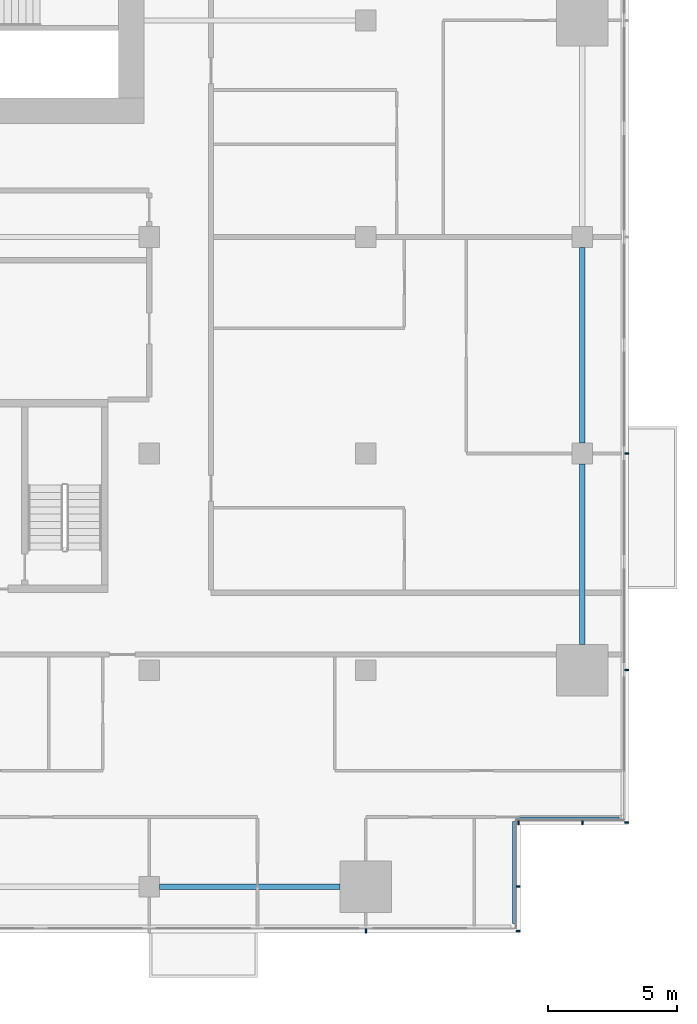
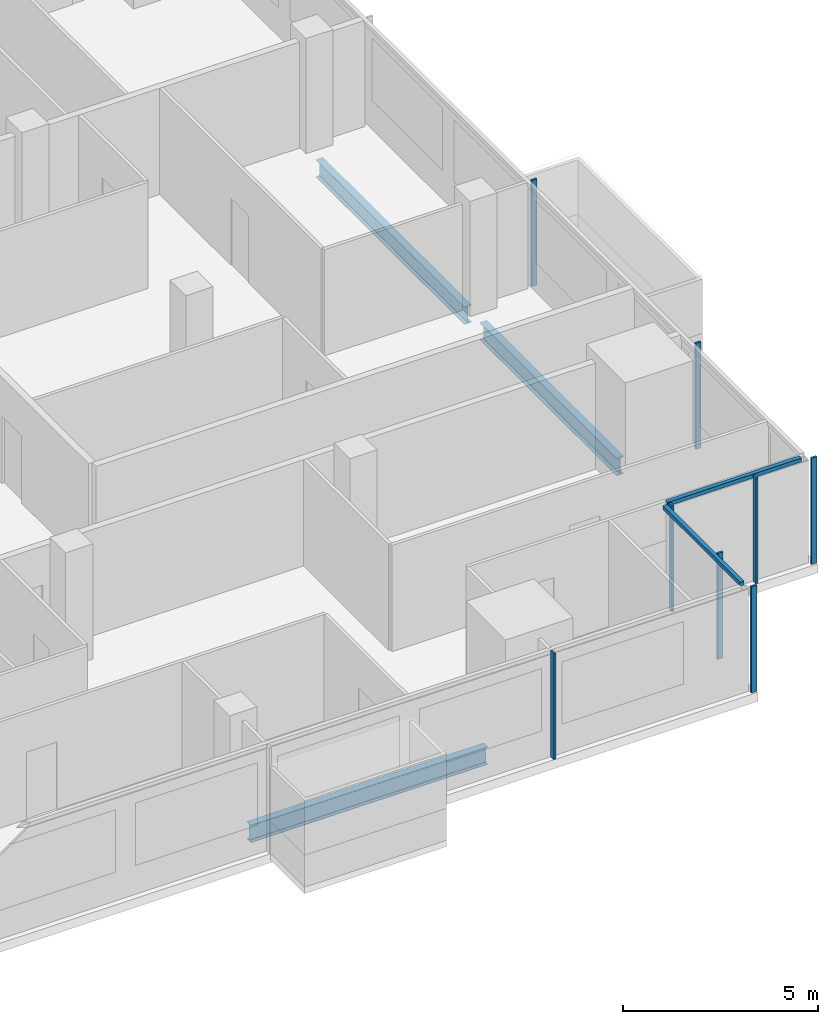
# One storey, part 11 of 29: 10 members, 3 beams, 4 elements without a shape of their own.
"""IFC4 building model written with IfcOpenShell, lengths in metres."""

import ifcopenshell
import ifcopenshell.guid

model = None  # the IFC model being written
_history = None  # IfcOwnerHistory: only IFC2X3 demands one
_inside = {}  # id of a spatial element -> (the spatial element, [elements in it])
_under = {}  # id of a project, library or spatial element -> (it, [spatial elements below it])
_declared = {}  # id of a project -> (the project, [libraries it declares])
_typed = {}  # id of a type object -> (the type object, [elements of that type])
_made_of = {}  # id of a material, layer set ... -> (it, [elements and type objects made of it])


def new_model(schema):
    """Start an empty IFC model of exactly this schema.

    Asked for "IFC4X3", IfcOpenShell would pick the latest addendum, in which some entities
    have other attributes; the version numbers below select the first issue.
    IFC2X3 requires an IfcOwnerHistory on every rooted entity: one is made here for all.
    """
    global model, _history
    if schema == "IFC4X3":
        model = ifcopenshell.file(schema_version=(4, 3, 0, 0))
    else:
        model = ifcopenshell.file(schema=schema)
    _inside.clear()
    _under.clear()
    _declared.clear()
    _typed.clear()
    _made_of.clear()
    _history = None
    if model.schema == "IFC2X3":
        org = make("IfcOrganization", Name="unknown")
        user = make(
            "IfcPersonAndOrganization",
            ThePerson=make("IfcPerson", FamilyName="unknown"),
            TheOrganization=org,
        )
        app = make(
            "IfcApplication",
            ApplicationDeveloper=org,
            Version="unknown",
            ApplicationFullName="unknown",
            ApplicationIdentifier="unknown",
        )
        _history = make(
            "IfcOwnerHistory",
            OwningUser=user,
            OwningApplication=app,
            ChangeAction="ADDED",
            CreationDate=0,
        )
    return model


def make(cls, **values):
    """One entity of the class cls with the attributes given. An attribute that is None is left unset."""
    return model.create_entity(
        cls, **{name: value for name, value in values.items() if value is not None}
    )


def rooted(cls, **values):
    """An entity with a GlobalId (a new one), such as an element, a storey or a relation."""
    return make(cls, GlobalId=ifcopenshell.guid.new(), OwnerHistory=_history, **values)


def si_unit(unit_type, name, prefix=None):
    """IfcSIUnit, for example si_unit("LENGTHUNIT", "METRE", prefix="MILLI")."""
    return make("IfcSIUnit", UnitType=unit_type, Prefix=prefix, Name=name)


def assignment(units):
    """IfcUnitAssignment: the units of a project."""
    return None if units is None else make("IfcUnitAssignment", Units=units)


def point(xyz):
    """IfcCartesianPoint."""
    return None if xyz is None else make("IfcCartesianPoint", Coordinates=xyz)


def direction(xyz):
    """IfcDirection."""
    return None if xyz is None else make("IfcDirection", DirectionRatios=xyz)


def frame(location, z_axis=None, x_axis=None):
    """IfcAxis2Placement3D, a coordinate frame: its origin and axes. An axis left out is left unset."""
    return make(
        "IfcAxis2Placement3D",
        Location=point(location),
        Axis=direction(z_axis),
        RefDirection=direction(x_axis),
    )


def frame_2d(location, x_axis=None):
    """IfcAxis2Placement2D, a coordinate frame in the plane: its origin and x axis."""
    return make(
        "IfcAxis2Placement2D", Location=point(location), RefDirection=direction(x_axis)
    )


def origin():
    """The frame at (0, 0, 0) with its axes left unset."""
    return frame((0.0, 0.0, 0.0))


def origin_2d():
    """The frame at (0, 0) in the plane with its x axis left unset."""
    return frame_2d((0.0, 0.0))


def place(relative_to, where):
    """IfcLocalPlacement: puts the frame where relative to a parent placement (None: the world)."""
    return make(
        "IfcLocalPlacement", PlacementRelTo=relative_to, RelativePlacement=where
    )


def context(
    kind, dimensions, precision=None, world=None, true_north=None, identifier=None
):
    """IfcGeometricRepresentationContext, for example the 3D "Model" context."""
    return make(
        "IfcGeometricRepresentationContext",
        ContextIdentifier=identifier,
        ContextType=kind,
        CoordinateSpaceDimension=dimensions,
        Precision=precision,
        WorldCoordinateSystem=world,
        TrueNorth=true_north,
    )


def subcontext(parent, identifier, kind, view, scale=None):
    """IfcGeometricRepresentationSubContext, for example "Body" below "Model"."""
    return make(
        "IfcGeometricRepresentationSubContext",
        ContextIdentifier=identifier,
        ContextType=kind,
        ParentContext=parent,
        TargetScale=scale,
        TargetView=view,
    )


def project(units=None, contexts=None):
    """IfcProject with its units and contexts."""
    return rooted(
        "IfcProject",
        Name="project",
        RepresentationContexts=contexts,
        UnitsInContext=assignment(units),
    )


def spatial(cls, under=None, at=None, **own):
    """A site, building, storey or space (cls), placed at a placement, below another one or the project."""
    s = rooted(cls, ObjectPlacement=at, **own)
    if under is not None:
        _under.setdefault(under.id(), (under, []))[1].append(s)
    return s


def profile(cls, at=None, kind="AREA", **sizes):
    """A parametric profile (cls). Its sizes go by their IFC names, for example OverallWidth=200.0."""
    return make(cls, ProfileType=kind, Position=at, **sizes)


def rectangle(**sizes):
    """IfcRectangleProfileDef."""
    return profile("IfcRectangleProfileDef", **sizes)


def i_section(**sizes):
    """IfcIShapeProfileDef."""
    return profile("IfcIShapeProfileDef", **sizes)


def extrude(swept, where, along, depth):
    """IfcExtrudedAreaSolid: the profile swept, set in the frame where, extruded along a direction by depth."""
    return make(
        "IfcExtrudedAreaSolid",
        SweptArea=swept,
        Position=where,
        ExtrudedDirection=direction(along),
        Depth=depth,
    )


def shape(context_of_items, identifier, shape_type, items):
    """IfcShapeRepresentation: the items that make up one representation, for example the "Body"."""
    return make(
        "IfcShapeRepresentation",
        ContextOfItems=context_of_items,
        RepresentationIdentifier=identifier,
        RepresentationType=shape_type,
        Items=items,
    )


def material(Name=None, Category=None):
    """IfcMaterial."""
    return make("IfcMaterial", Name=Name, Category=Category)


def material_profile(
    of_material, cross_section, Name=None, Category=None, Priority=None
):
    """IfcMaterialProfile: a cross section and its material."""
    return make(
        "IfcMaterialProfile",
        Name=Name,
        Material=of_material,
        Profile=cross_section,
        Priority=Priority,
        Category=Category,
    )


def profile_set(profiles, Name=None, composite=None):
    """IfcMaterialProfileSet."""
    return make(
        "IfcMaterialProfileSet",
        Name=Name,
        MaterialProfiles=profiles,
        CompositeProfile=composite,
    )


def made_of(thing, what):
    """Note that an element or type object is made of a material, layer set ...; save() writes the relation."""
    if what is not None:
        _made_of.setdefault(what.id(), (what, []))[1].append(thing)
    return thing


def type_object(cls, material=None, **own):
    """A type object (cls), such as IfcWallType, which elements share."""
    return made_of(rooted(cls, **own), material)


def element(
    cls,
    number,
    at=None,
    inside=None,
    cuts=None,
    type_object=None,
    material=None,
    context=None,
    identifier="Body",
    shape_type=None,
    held_by="IfcProductDefinitionShape",
    body=None,
    shapes=None,
    **own,
):
    """One element of the class cls, such as IfcWall. Its Tag is "e" and its number.

    at: its placement. inside: the storey or other place that contains it. cuts: it is an
    opening in that element (IfcRelVoidsElement). A single representation is given by context,
    identifier, shape_type and body (its items); several are given by shapes. held_by: the class
    of the entity that holds the representations. save() writes the other relations.
    """
    e = rooted(cls, Tag="e%d" % number, ObjectPlacement=at, **own)
    if body is not None:
        shapes = [shape(context, identifier, shape_type, body)]
    if shapes is not None:
        e.Representation = make(held_by, Representations=shapes)
    if inside is not None:
        _inside.setdefault(inside.id(), (inside, []))[1].append(e)
    if cuts is not None:
        rooted(
            "IfcRelVoidsElement", RelatingBuildingElement=cuts, RelatedOpeningElement=e
        )
    if type_object is not None:
        _typed.setdefault(type_object.id(), (type_object, []))[1].append(e)
    return made_of(e, material)


def aggregate(whole, parts):
    """IfcRelAggregates: a whole, such as a stair, and the parts it consists of."""
    return rooted("IfcRelAggregates", RelatingObject=whole, RelatedObjects=parts)


def save(model, path):
    """Write the relations noted so far, then the file.

    IfcRelAggregates (storeys below a building ...), IfcRelContainedInSpatialStructure (elements
    in a storey), IfcRelDefinesByType, IfcRelAssociatesMaterial and IfcRelDeclares: one each for
    every whole, place, type object, material and project.
    """
    for whole, parts in _under.values():
        aggregate(whole, parts)
    for where, things in _inside.values():
        rooted(
            "IfcRelContainedInSpatialStructure",
            RelatedElements=things,
            RelatingStructure=where,
        )
    for kind, things in _typed.values():
        rooted("IfcRelDefinesByType", RelatedObjects=things, RelatingType=kind)
    for what, things in _made_of.values():
        rooted("IfcRelAssociatesMaterial", RelatedObjects=things, RelatingMaterial=what)
    for by, libraries in _declared.values():
        rooted("IfcRelDeclares", RelatingContext=by, RelatedDefinitions=libraries)
    model.write(path)


model = new_model("IFC4")

# Units and contexts
model_context = context("Model", 3, precision=1e-05, world=origin(), true_north=direction((0.0, 1.0)))
body_context = subcontext(model_context, "Body", "Model", "MODEL_VIEW")
ifc_project = project(units=[si_unit("LENGTHUNIT", "METRE"), si_unit("AREAUNIT", "SQUARE_METRE"), si_unit("VOLUMEUNIT", "CUBIC_METRE"), si_unit("PLANEANGLEUNIT", "RADIAN"), si_unit("MASSUNIT", "GRAM", prefix="KILO")], contexts=[model_context])

# Site, building, storey
site_placement = place(None, origin())
site = spatial("IfcSite", under=ifc_project, at=site_placement, CompositionType="ELEMENT")
building_placement = place(site_placement, origin())
building = spatial("IfcBuilding", under=site, at=building_placement, Name="Saffron Gate Tower", CompositionType="ELEMENT")
storey_placement = place(building_placement, frame((0.0, 0.0, 116.85009765625)))
storey = spatial("IfcBuildingStorey", under=building, at=storey_placement, Name="L27", CompositionType="ELEMENT", Elevation=116.85009765625)

# Beams
ifc_material_1 = material(Name="Structural steel S355", Category="steel")
ifc_material_profile_1 = material_profile(ifc_material_1, i_section(OverallWidth=0.2099609375, OverallDepth=0.550048828125, WebThickness=0.010986328125, FlangeThickness=0.01708984375, FilletRadius=0.02392578125, at=origin_2d()))
ifc_profile_set_1 = profile_set([ifc_material_profile_1], Name="Structural steel S355")
beam_type = type_object("IfcBeamType", Name="B13 IPE 550", PredefinedType="SPANDREL", material=ifc_profile_set_1)
for number, where, z_axis, x_axis, name in (
    (1, (109.0, 31.800048828125, -0.55517578125), (1.0, 0.0, 0.0), (0.0, 1.0, 0.0), "B13 SPANDREL BEAM"),
    (2, (125.39990234375, 41.199951171875, -0.55517578125), (0.0, 1.0, 0.0), (-1.0, 0.0, 0.0), "B13 SPANDREL BEAM"),
):
    element("IfcBeam", number, at=place(storey_placement, frame(where, z_axis=z_axis, x_axis=x_axis)), inside=storey, type_object=beam_type, Name=name, PredefinedType="SPANDREL", context=body_context, shape_type="SweptSolid", body=[
        extrude(i_section(OverallWidth=0.2099609375, OverallDepth=0.550048828125, WebThickness=0.010986328125, FlangeThickness=0.01708984375, FilletRadius=0.02392578125, at=origin_2d()), origin(), (0.0, 0.0, 1.0), 7.0),
    ])
beam_placement = place(storey_placement, frame((125.39990234375, 49.0, -0.55517578125), z_axis=(0.0, 1.0, 0.0), x_axis=(-1.0, 0.0, 0.0)))
element("IfcBeam", 3, at=beam_placement, inside=storey, type_object=beam_type, Name="B13 SPANDREL BEAM", PredefinedType="SPANDREL", context=body_context, shape_type="SweptSolid", body=[
    extrude(i_section(OverallWidth=0.2099609375, OverallDepth=0.550048828125, WebThickness=0.010986328125, FlangeThickness=0.01708984375, FilletRadius=0.02392578125, at=origin_2d()), origin(), (0.0, 0.0, 1.0), 7.60009765625),
])

# Curtain wall, member
ifc_material_2 = material(Name="Aluminium, bronze anodised", Category="aluminium")
curtain_wall_type_1 = type_object("IfcCurtainWallType", Name="CWS1 curtain wall front facade", PredefinedType="NOTDEFINED", material=ifc_material_2)
curtain_wall_1_placement = place(storey_placement, origin())
curtain_wall_1 = element("IfcCurtainWall", 4, at=curtain_wall_1_placement, inside=storey, type_object=curtain_wall_type_1, Name="CWS1 run 1", PredefinedType="NOTDEFINED")
ifc_material_profile_2 = material_profile(ifc_material_2, rectangle(XDim=0.159912109375, YDim=0.06005859375, at=origin_2d()))
ifc_profile_set_2 = profile_set([ifc_material_profile_2], Name="Aluminium, bronze anodised")
member_type_1 = type_object("IfcMemberType", Name="CWS1 mullion 60x160", PredefinedType="MULLION", material=ifc_profile_set_2)
member_1_placement = place(storey_placement, frame((117.0, 30.080078125, 0.0), z_axis=(0.0, 0.0, 1.0), x_axis=(0.0, 1.0, 0.0)))
member_1 = element("IfcMember", 5, at=member_1_placement, type_object=member_type_1, Name="CWS1 mullion 9", PredefinedType="MULLION", context=body_context, shape_type="SweptSolid", body=[
    extrude(rectangle(XDim=0.159912109375, YDim=0.06005859375, at=origin_2d()), origin(), (0.0, 0.0, 1.0), 3.31982421875),
])
aggregate(curtain_wall_1, [member_1])

# Curtain wall, members
curtain_wall_type_2 = type_object("IfcCurtainWallType", Name="CWS2 curtain wall side facades", PredefinedType="NOTDEFINED", material=ifc_material_2)
curtain_wall_2_placement = place(storey_placement, origin())
curtain_wall_2 = element("IfcCurtainWall", 6, at=curtain_wall_2_placement, inside=storey, type_object=curtain_wall_type_2, Name="CWS2 run 4", PredefinedType="NOTDEFINED")
ifc_material_profile_3 = material_profile(ifc_material_2, rectangle(XDim=0.159912109375, YDim=0.06005859375, at=origin_2d()))
ifc_profile_set_3 = profile_set([ifc_material_profile_3], Name="Aluminium, bronze anodised")
member_type_2 = type_object("IfcMemberType", Name="CWS2 mullion 60x160", PredefinedType="MULLION", material=ifc_profile_set_3)
member_2_placement = place(storey_placement, frame((127.1201171875, 34.280029296875, 0.0), z_axis=(0.0, 0.0, 1.0), x_axis=(-1.0, 0.0, 0.0)))
member_2 = element("IfcMember", 7, at=member_2_placement, type_object=member_type_2, Name="CWS2 mullion 1", PredefinedType="MULLION", context=body_context, shape_type="SweptSolid", body=[
    extrude(rectangle(XDim=0.159912109375, YDim=0.06005859375, at=origin_2d()), origin(), (0.0, 0.0, 1.0), 3.31982421875),
])
member_3_placement = place(storey_placement, frame((127.1201171875, 40.199951171875, 0.0), z_axis=(0.0, 0.0, 1.0), x_axis=(-1.0, 0.0, 0.0)))
member_3 = element("IfcMember", 8, at=member_3_placement, type_object=member_type_2, Name="CWS2 mullion 2", PredefinedType="MULLION", context=body_context, shape_type="SweptSolid", body=[
    extrude(rectangle(XDim=0.159912109375, YDim=0.06005859375, at=origin_2d()), origin(), (0.0, 0.0, 1.0), 3.31982421875),
])
member_4_placement = place(storey_placement, frame((127.1201171875, 48.60009765625, 0.0), z_axis=(0.0, 0.0, 1.0), x_axis=(-1.0, 0.0, 0.0)))
member_4 = element("IfcMember", 9, at=member_4_placement, type_object=member_type_2, Name="CWS2 mullion 3", PredefinedType="MULLION", context=body_context, shape_type="SweptSolid", body=[
    extrude(rectangle(XDim=0.159912109375, YDim=0.06005859375, at=origin_2d()), origin(), (0.0, 0.0, 1.0), 3.31982421875),
])
aggregate(curtain_wall_2, [member_2, member_3, member_4])

# Curtain wall, member
curtain_wall_type_3 = type_object("IfcCurtainWallType", Name="CWS4 curtain wall corner returns", PredefinedType="NOTDEFINED", material=ifc_material_2)
curtain_wall_3_placement = place(storey_placement, origin())
curtain_wall_3 = element("IfcCurtainWall", 10, at=curtain_wall_3_placement, inside=storey, type_object=curtain_wall_type_3, Name="CWS4 run 2", PredefinedType="NOTDEFINED")
ifc_material_profile_4 = material_profile(ifc_material_2, rectangle(XDim=0.1201171875, YDim=0.1201171875, at=origin_2d()))
ifc_profile_set_4 = profile_set([ifc_material_profile_4], Name="Aluminium, bronze anodised")
member_type_3 = type_object("IfcMemberType", Name="CWS4 head transom", PredefinedType="USERDEFINED", material=ifc_profile_set_4)
member_5_placement = place(storey_placement, frame((122.751953125, 30.367919921875, 3.260009765625), z_axis=(0.0, 1.0, 0.0), x_axis=(-1.0, 0.0, 0.0)))
member_5 = element("IfcMember", 11, at=member_5_placement, type_object=member_type_3, Name="CWS4 head transom", ObjectType="TRANSOM", PredefinedType="USERDEFINED", context=body_context, shape_type="SweptSolid", body=[
    extrude(rectangle(XDim=0.1201171875, YDim=0.1201171875, at=origin_2d()), origin(), (0.0, 0.0, 1.0), 3.9599609375),
])

curtain_wall_4_placement = place(storey_placement, origin())
curtain_wall_4 = element("IfcCurtainWall", 12, at=curtain_wall_4_placement, inside=storey, type_object=curtain_wall_type_3, Name="CWS4 run 3", PredefinedType="NOTDEFINED")
member_6_placement = place(storey_placement, frame((122.8720703125, 34.447998046875, 3.260009765625), z_axis=(1.0, 0.0, 0.0), x_axis=(0.0, 1.0, 0.0)))
member_6 = element("IfcMember", 13, at=member_6_placement, type_object=member_type_3, Name="CWS4 head transom", ObjectType="TRANSOM", PredefinedType="USERDEFINED", context=body_context, shape_type="SweptSolid", body=[
    extrude(rectangle(XDim=0.1201171875, YDim=0.1201171875, at=origin_2d()), origin(), (0.0, 0.0, 1.0), 3.9599609375),
])

# Member
ifc_material_profile_5 = material_profile(ifc_material_2, rectangle(XDim=0.159912109375, YDim=0.06005859375, at=origin_2d()))
ifc_profile_set_5 = profile_set([ifc_material_profile_5], Name="Aluminium, bronze anodised")
member_type_4 = type_object("IfcMemberType", Name="CWS4 mullion 60x160", PredefinedType="MULLION", material=ifc_profile_set_5)
member_7_placement = place(storey_placement, frame((122.919921875, 30.080078125, 0.0), z_axis=(0.0, 0.0, 1.0), x_axis=(-1.0, 0.0, 0.0)))
member_7 = element("IfcMember", 14, at=member_7_placement, type_object=member_type_4, Name="CWS4 mullion 1", PredefinedType="MULLION", context=body_context, shape_type="SweptSolid", body=[
    extrude(rectangle(XDim=0.159912109375, YDim=0.06005859375, at=origin_2d()), origin(), (0.0, 0.0, 1.0), 3.31982421875),
])

member_8_placement = place(storey_placement, frame((122.919921875, 31.800048828125, 0.0), z_axis=(0.0, 0.0, 1.0), x_axis=(-1.0, 0.0, 0.0)))
member_8 = element("IfcMember", 15, at=member_8_placement, type_object=member_type_4, Name="CWS4 mullion 2", PredefinedType="MULLION", context=body_context, shape_type="SweptSolid", body=[
    extrude(rectangle(XDim=0.159912109375, YDim=0.06005859375, at=origin_2d()), origin(), (0.0, 0.0, 1.0), 3.31982421875),
])

aggregate(curtain_wall_3, [member_7, member_8, member_5])

member_9_placement = place(storey_placement, frame((122.919921875, 34.280029296875, 0.0), z_axis=(0.0, 0.0, 1.0), x_axis=(0.0, 1.0, 0.0)))
member_9 = element("IfcMember", 16, at=member_9_placement, type_object=member_type_4, Name="CWS4 mullion 1", PredefinedType="MULLION", context=body_context, shape_type="SweptSolid", body=[
    extrude(rectangle(XDim=0.159912109375, YDim=0.06005859375, at=origin_2d()), origin(), (0.0, 0.0, 1.0), 3.31982421875),
])

member_10_placement = place(storey_placement, frame((125.39990234375, 34.280029296875, 0.0), z_axis=(0.0, 0.0, 1.0), x_axis=(0.0, 1.0, 0.0)))
member_10 = element("IfcMember", 17, at=member_10_placement, type_object=member_type_4, Name="CWS4 mullion 2", PredefinedType="MULLION", context=body_context, shape_type="SweptSolid", body=[
    extrude(rectangle(XDim=0.159912109375, YDim=0.06005859375, at=origin_2d()), origin(), (0.0, 0.0, 1.0), 3.31982421875),
])

aggregate(curtain_wall_4, [member_9, member_10, member_6])

save(model, "model.ifc")
